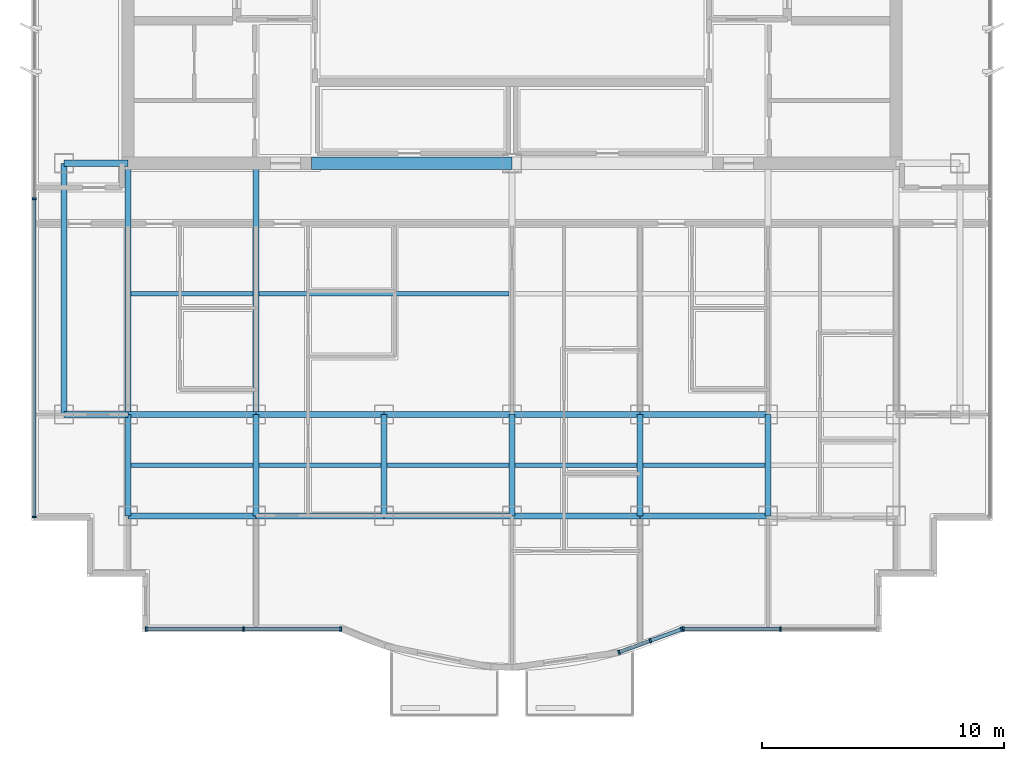
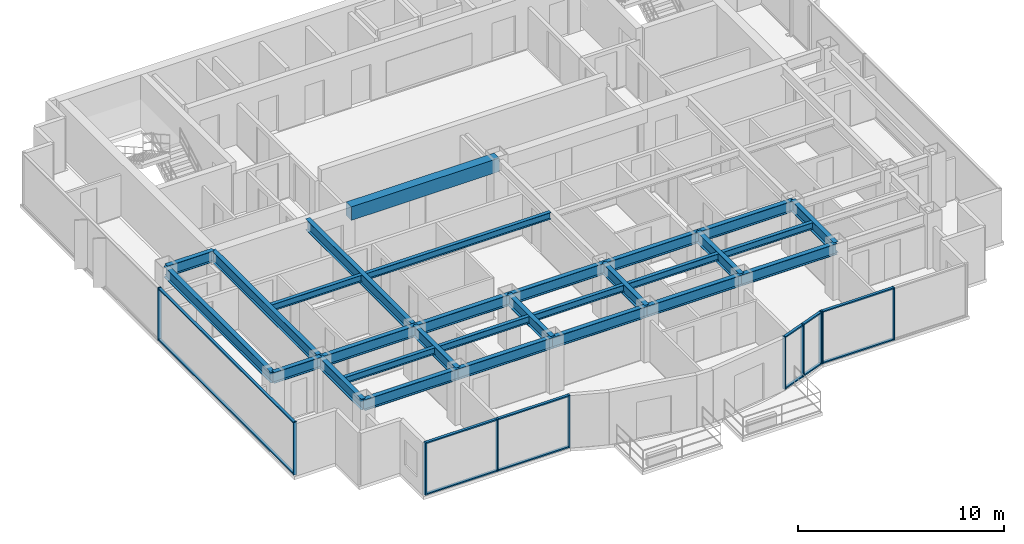
# One storey, part 2 of 12: 29 beams, 22 members, 4 elements without a shape of their own.
"""IFC4 building model written with IfcOpenShell, lengths in metres."""

from ifc_helpers import new_model, si_unit, direction, frame, origin, origin_2d, place, context, subcontext, project, spatial, rectangle, i_section, extrude, source, transform, mapped, material, layer, layer_set, material_profile, profile_set, type_object, element, aggregate, save


model = new_model("IFC4")

# Units and contexts
model_context = context("Model", 3, precision=1e-05, world=origin(), true_north=direction((0.0, 1.0)))
body_context = subcontext(model_context, "Body", "Model", "MODEL_VIEW")
ifc_project = project(units=[si_unit("LENGTHUNIT", "METRE"), si_unit("AREAUNIT", "SQUARE_METRE"), si_unit("VOLUMEUNIT", "CUBIC_METRE"), si_unit("PLANEANGLEUNIT", "RADIAN"), si_unit("MASSUNIT", "GRAM", prefix="KILO")], contexts=[model_context])

# Site, building, storey
site_placement = place(None, origin())
site = spatial("IfcSite", under=ifc_project, at=site_placement, CompositionType="ELEMENT")
building_placement = place(site_placement, origin())
building = spatial("IfcBuilding", under=site, at=building_placement, Name="Qianlan Lanfeng Residences", CompositionType="ELEMENT")
storey_placement = place(building_placement, frame((0.0, 0.0, 200.0)))
storey = spatial("IfcBuildingStorey", under=building, at=storey_placement, Name="L54", CompositionType="ELEMENT", Elevation=200.0)

# Beams
ifc_material_1 = material(Name="Steel SN490B", Category="steel")
ifc_material_profile_1 = material_profile(ifc_material_1, i_section(OverallWidth=0.25, OverallDepth=0.64990234375, WebThickness=0.012939453125, FlangeThickness=0.02197265625, at=origin_2d()), Name="H 650x250x13x22")
ifc_profile_set_1 = profile_set([ifc_material_profile_1], Name="Steel SN490B")
beam_type_1 = type_object("IfcBeamType", Name="G-650", PredefinedType="BEAM", material=ifc_profile_set_1)
beam_1_placement = place(storey_placement, frame((10.60009765625, 10.60009765625, 2.784912109375), z_axis=(1.0, 0.0, 0.0), x_axis=(0.0, 1.0, 0.0)))
element("IfcBeam", 1, at=beam_1_placement, inside=storey, type_object=beam_type_1, Name="Structural beam G-650", PredefinedType="BEAM", context=body_context, shape_type="SweptSolid", body=[
    extrude(i_section(OverallWidth=0.25, OverallDepth=0.64990234375, WebThickness=0.012939453125, FlangeThickness=0.02197265625, at=origin_2d()), origin(), (0.0, 0.0, 1.0), 5.2998046875),
])
for number, where, z_axis, x_axis, name in (
    (2, (15.89990234375, 10.60009765625, 2.784912109375), (1.0, 0.0, 0.0), (0.0, 1.0, 0.0), "Structural beam G-650"),
    (3, (21.199951171875, 10.60009765625, 2.784912109375), (1.0, 0.0, 0.0), (0.0, 1.0, 0.0), "Structural beam G-650"),
    (4, (26.5, 10.60009765625, 2.784912109375), (1.0, 0.0, 0.0), (0.0, 1.0, 0.0), "Structural beam G-650"),
    (5, (31.800048828125, 10.60009765625, 2.784912109375), (1.0, 0.0, 0.0), (0.0, 1.0, 0.0), "Structural beam G-650"),
):
    element("IfcBeam", number, at=place(storey_placement, frame(where, z_axis=z_axis, x_axis=x_axis)), inside=storey, type_object=beam_type_1, Name=name, PredefinedType="BEAM", context=body_context, shape_type="SweptSolid", body=[
        extrude(i_section(OverallWidth=0.25, OverallDepth=0.64990234375, WebThickness=0.012939453125, FlangeThickness=0.02197265625, at=origin_2d()), origin(), (0.0, 0.0, 1.0), 5.300048828125),
    ])
beam_2_placement = place(storey_placement, frame((7.949951171875, 14.800048828125, 2.784912109375), z_axis=(1.0, 0.0, 0.0), x_axis=(0.0, 1.0, 0.0)))
element("IfcBeam", 6, at=beam_2_placement, inside=storey, type_object=beam_type_1, Name="Structural beam G-650", PredefinedType="BEAM", context=body_context, shape_type="SweptSolid", body=[
    extrude(i_section(OverallWidth=0.25, OverallDepth=0.64990234375, WebThickness=0.012939453125, FlangeThickness=0.02197265625, at=origin_2d()), origin(), (0.0, 0.0, 1.0), 2.650146484375),
])
beam_3_placement = place(storey_placement, frame((10.60009765625, 14.800048828125, 2.784912109375), z_axis=(1.0, 0.0, 0.0), x_axis=(0.0, 1.0, 0.0)))
element("IfcBeam", 7, at=beam_3_placement, inside=storey, type_object=beam_type_1, Name="Structural beam G-650", PredefinedType="BEAM", context=body_context, shape_type="SweptSolid", body=[
    extrude(i_section(OverallWidth=0.25, OverallDepth=0.64990234375, WebThickness=0.012939453125, FlangeThickness=0.02197265625, at=origin_2d()), origin(), (0.0, 0.0, 1.0), 5.2998046875),
])
for number, where, z_axis, x_axis, name in (
    (8, (15.89990234375, 14.800048828125, 2.784912109375), (1.0, 0.0, 0.0), (0.0, 1.0, 0.0), "Structural beam G-650"),
    (9, (21.199951171875, 14.800048828125, 2.784912109375), (1.0, 0.0, 0.0), (0.0, 1.0, 0.0), "Structural beam G-650"),
    (10, (26.5, 14.800048828125, 2.784912109375), (1.0, 0.0, 0.0), (0.0, 1.0, 0.0), "Structural beam G-650"),
    (11, (31.800048828125, 14.800048828125, 2.784912109375), (1.0, 0.0, 0.0), (0.0, 1.0, 0.0), "Structural beam G-650"),
):
    element("IfcBeam", number, at=place(storey_placement, frame(where, z_axis=z_axis, x_axis=x_axis)), inside=storey, type_object=beam_type_1, Name=name, PredefinedType="BEAM", context=body_context, shape_type="SweptSolid", body=[
        extrude(i_section(OverallWidth=0.25, OverallDepth=0.64990234375, WebThickness=0.012939453125, FlangeThickness=0.02197265625, at=origin_2d()), origin(), (0.0, 0.0, 1.0), 5.300048828125),
    ])
beam_4_placement = place(storey_placement, frame((7.949951171875, 25.199951171875, 2.784912109375), z_axis=(1.0, 0.0, 0.0), x_axis=(0.0, 1.0, 0.0)))
element("IfcBeam", 12, at=beam_4_placement, inside=storey, type_object=beam_type_1, Name="Structural beam G-650", PredefinedType="BEAM", context=body_context, shape_type="SweptSolid", body=[
    extrude(i_section(OverallWidth=0.25, OverallDepth=0.64990234375, WebThickness=0.012939453125, FlangeThickness=0.02197265625, at=origin_2d()), origin(), (0.0, 0.0, 1.0), 2.650146484375),
])
beam_5_placement = place(storey_placement, frame((10.60009765625, 10.60009765625, 2.784912109375), z_axis=(0.0, 1.0, 0.0), x_axis=(-1.0, 0.0, 0.0)))
element("IfcBeam", 13, at=beam_5_placement, inside=storey, type_object=beam_type_1, Name="Structural beam G-650", PredefinedType="BEAM", context=body_context, shape_type="SweptSolid", body=[
    extrude(i_section(OverallWidth=0.25, OverallDepth=0.64990234375, WebThickness=0.012939453125, FlangeThickness=0.02197265625, at=origin_2d()), origin(), (0.0, 0.0, 1.0), 4.199951171875),
])
beam_6_placement = place(storey_placement, frame((10.60009765625, 14.800048828125, 2.784912109375), z_axis=(0.0, 1.0, 0.0), x_axis=(-1.0, 0.0, 0.0)))
element("IfcBeam", 14, at=beam_6_placement, inside=storey, type_object=beam_type_1, Name="Structural beam G-650", PredefinedType="BEAM", context=body_context, shape_type="SweptSolid", body=[
    extrude(i_section(OverallWidth=0.25, OverallDepth=0.64990234375, WebThickness=0.012939453125, FlangeThickness=0.02197265625, at=origin_2d()), origin(), (0.0, 0.0, 1.0), 10.39990234375),
])
beam_7_placement = place(storey_placement, frame((15.89990234375, 10.60009765625, 2.784912109375), z_axis=(0.0, 1.0, 0.0), x_axis=(-1.0, 0.0, 0.0)))
element("IfcBeam", 15, at=beam_7_placement, inside=storey, type_object=beam_type_1, Name="Structural beam G-650", PredefinedType="BEAM", context=body_context, shape_type="SweptSolid", body=[
    extrude(i_section(OverallWidth=0.25, OverallDepth=0.64990234375, WebThickness=0.012939453125, FlangeThickness=0.02197265625, at=origin_2d()), origin(), (0.0, 0.0, 1.0), 4.199951171875),
])
beam_8_placement = place(storey_placement, frame((15.89990234375, 14.800048828125, 2.784912109375), z_axis=(0.0, 1.0, 0.0), x_axis=(-1.0, 0.0, 0.0)))
element("IfcBeam", 16, at=beam_8_placement, inside=storey, type_object=beam_type_1, Name="Structural beam G-650", PredefinedType="BEAM", context=body_context, shape_type="SweptSolid", body=[
    extrude(i_section(OverallWidth=0.25, OverallDepth=0.64990234375, WebThickness=0.012939453125, FlangeThickness=0.02197265625, at=origin_2d()), origin(), (0.0, 0.0, 1.0), 10.39990234375),
])
for number, where, z_axis, x_axis, name in (
    (17, (21.199951171875, 10.60009765625, 2.784912109375), (0.0, 1.0, 0.0), (-1.0, 0.0, 0.0), "Structural beam G-650"),
    (18, (26.5, 10.60009765625, 2.784912109375), (0.0, 1.0, 0.0), (-1.0, 0.0, 0.0), "Structural beam G-650"),
    (19, (31.800048828125, 10.60009765625, 2.784912109375), (0.0, 1.0, 0.0), (-1.0, 0.0, 0.0), "Structural beam G-650"),
    (20, (37.10009765625, 10.60009765625, 2.784912109375), (0.0, 1.0, 0.0), (-1.0, 0.0, 0.0), "Structural beam G-650"),
):
    element("IfcBeam", number, at=place(storey_placement, frame(where, z_axis=z_axis, x_axis=x_axis)), inside=storey, type_object=beam_type_1, Name=name, PredefinedType="BEAM", context=body_context, shape_type="SweptSolid", body=[
        extrude(i_section(OverallWidth=0.25, OverallDepth=0.64990234375, WebThickness=0.012939453125, FlangeThickness=0.02197265625, at=origin_2d()), origin(), (0.0, 0.0, 1.0), 4.199951171875),
    ])
ifc_material_profile_2 = material_profile(ifc_material_1, i_section(OverallWidth=0.199951171875, OverallDepth=0.39990234375, WebThickness=0.008056640625, FlangeThickness=0.012939453125, at=origin_2d()), Name="H 400x200x8x13")
ifc_profile_set_2 = profile_set([ifc_material_profile_2], Name="Steel SN490B")
beam_type_2 = type_object("IfcBeamType", Name="J-400", PredefinedType="JOIST", material=ifc_profile_set_2)
beam_9_placement = place(storey_placement, frame((10.72509765625, 12.699951171875, 2.909912109375), z_axis=(1.0, 0.0, 0.0), x_axis=(0.0, 1.0, 0.0)))
element("IfcBeam", 21, at=beam_9_placement, inside=storey, type_object=beam_type_2, Name="Structural beam J-400", PredefinedType="JOIST", context=body_context, shape_type="SweptSolid", body=[
    extrude(i_section(OverallWidth=0.199951171875, OverallDepth=0.39990234375, WebThickness=0.008056640625, FlangeThickness=0.012939453125, at=origin_2d()), origin(), (0.0, 0.0, 1.0), 5.0498046875),
])
for number, where, z_axis, x_axis, name in (
    (22, (16.02490234375, 12.699951171875, 2.909912109375), (1.0, 0.0, 0.0), (0.0, 1.0, 0.0), "Structural beam J-400"),
    (23, (21.324951171875, 12.699951171875, 2.909912109375), (1.0, 0.0, 0.0), (0.0, 1.0, 0.0), "Structural beam J-400"),
    (24, (26.625, 12.699951171875, 2.909912109375), (1.0, 0.0, 0.0), (0.0, 1.0, 0.0), "Structural beam J-400"),
    (25, (31.925048828125, 12.699951171875, 2.909912109375), (1.0, 0.0, 0.0), (0.0, 1.0, 0.0), "Structural beam J-400"),
):
    element("IfcBeam", number, at=place(storey_placement, frame(where, z_axis=z_axis, x_axis=x_axis)), inside=storey, type_object=beam_type_2, Name=name, PredefinedType="JOIST", context=body_context, shape_type="SweptSolid", body=[
        extrude(i_section(OverallWidth=0.199951171875, OverallDepth=0.39990234375, WebThickness=0.008056640625, FlangeThickness=0.012939453125, at=origin_2d()), origin(), (0.0, 0.0, 1.0), 5.050048828125),
    ])
beam_10_placement = place(storey_placement, frame((10.72509765625, 19.800048828125, 2.909912109375), z_axis=(1.0, 0.0, 0.0), x_axis=(0.0, 1.0, 0.0)))
element("IfcBeam", 26, at=beam_10_placement, inside=storey, type_object=beam_type_2, Name="Structural beam J-400", PredefinedType="JOIST", context=body_context, shape_type="SweptSolid", body=[
    extrude(i_section(OverallWidth=0.199951171875, OverallDepth=0.39990234375, WebThickness=0.008056640625, FlangeThickness=0.012939453125, at=origin_2d()), origin(), (0.0, 0.0, 1.0), 5.0498046875),
])
beam_11_placement = place(storey_placement, frame((16.02490234375, 19.800048828125, 2.909912109375), z_axis=(1.0, 0.0, 0.0), x_axis=(0.0, 1.0, 0.0)))
element("IfcBeam", 27, at=beam_11_placement, inside=storey, type_object=beam_type_2, Name="Structural beam J-400", PredefinedType="JOIST", context=body_context, shape_type="SweptSolid", body=[
    extrude(i_section(OverallWidth=0.199951171875, OverallDepth=0.39990234375, WebThickness=0.008056640625, FlangeThickness=0.012939453125, at=origin_2d()), origin(), (0.0, 0.0, 1.0), 10.35009765625),
])
ifc_material_2 = material(Name="Concrete C49", Category="concrete")
ifc_material_profile_3 = material_profile(ifc_material_2, rectangle(XDim=0.5, YDim=0.800048828125, at=origin_2d()), Name="RC 500x800")
ifc_profile_set_3 = profile_set([ifc_material_profile_3], Name="Concrete C49")
beam_type_3 = type_object("IfcBeamType", Name="LB-RC750", PredefinedType="BEAM", material=ifc_profile_set_3)
beam_12_placement = place(storey_placement, frame((18.199951171875, 25.199951171875, 2.7099609375), z_axis=(1.0, 0.0, 0.0), x_axis=(0.0, 1.0, 0.0)))
element("IfcBeam", 28, at=beam_12_placement, inside=storey, type_object=beam_type_3, Name="L54 Core Coupling Beam W", PredefinedType="BEAM", context=body_context, shape_type="SweptSolid", body=[
    extrude(rectangle(XDim=0.5, YDim=0.800048828125, at=origin_2d()), origin(), (0.0, 0.0, 1.0), 8.300048828125),
])
ifc_material_profile_4 = material_profile(ifc_material_1, i_section(OverallWidth=0.25, OverallDepth=0.64990234375, WebThickness=0.012939453125, FlangeThickness=0.02197265625, at=origin_2d()), Name="H 650x250x13x22")
ifc_profile_set_4 = profile_set([ifc_material_profile_4], Name="Steel SN490B")
beam_type_4 = type_object("IfcBeamType", Name="SG-650", PredefinedType="SPANDREL", material=ifc_profile_set_4)
beam_13_placement = place(storey_placement, frame((7.949951171875, 14.800048828125, 2.764892578125), z_axis=(0.0, 1.0, 0.0), x_axis=(-1.0, 0.0, 0.0)))
element("IfcBeam", 29, at=beam_13_placement, inside=storey, type_object=beam_type_4, Name="Structural beam SG-650", PredefinedType="SPANDREL", context=body_context, shape_type="SweptSolid", body=[
    extrude(i_section(OverallWidth=0.25, OverallDepth=0.64990234375, WebThickness=0.012939453125, FlangeThickness=0.02197265625, at=origin_2d()), origin(), (0.0, 0.0, 1.0), 10.39990234375),
])

# Curtain wall, members
ifc_material_3 = material(Name="Anodised Bronze Aluminium 6063-T6", Category="aluminium")
ifc_layer = layer(ifc_material_3, 0.219970703125)
ifc_layer_set = layer_set([ifc_layer], Name="Anodised Bronze Aluminium 6063-T6")
curtain_wall_type = type_object("IfcCurtainWallType", Name="CW-05", PredefinedType="NOTDEFINED", material=ifc_layer_set)
curtain_wall_1_placement = place(storey_placement, origin())
curtain_wall_1 = element("IfcCurtainWall", 30, at=curtain_wall_1_placement, inside=storey, type_object=curtain_wall_type, Name="L54 Unitised Curtain Wall CWR-L54-01 (CW-05)", PredefinedType="NOTDEFINED")
ifc_material_profile_5 = material_profile(ifc_material_3, rectangle(XDim=0.074951171875, YDim=0.14990234375, at=origin_2d()), Name="ALU TRANSOM 75x150")
ifc_profile_set_5 = profile_set([ifc_material_profile_5], Name="Anodised Bronze Aluminium 6063-T6")
member_type_1 = type_object("IfcMemberType", Name="CWT-150", PredefinedType="USERDEFINED", material=ifc_profile_set_5)
shared_shape_1 = source(origin(), body_context, "Body", "SweptSolid", [
    extrude(rectangle(XDim=0.074951171875, YDim=0.14990234375, at=origin_2d()), origin(), (0.0, 0.0, 1.0), 3.949462890625),
])
member_1_placement = place(storey_placement, frame((11.39501953125, 5.919921875, 0.03759765625), z_axis=(1.0, 0.0, 0.0), x_axis=(0.0, 0.0, 1.0)))
member_1 = element("IfcMember", 31, at=member_1_placement, type_object=member_type_1, Name="CWR-L54-01 Transom 1-BOT", ObjectType="TRANSOM", PredefinedType="USERDEFINED", context=body_context, shape_type="MappedRepresentation", body=[
    mapped(shared_shape_1, transform((0.0, 0.0, 0.0), scale=1.0)),
])
member_2_placement = place(storey_placement, frame((11.39501953125, 5.919921875, 3.072509765625), z_axis=(1.0, 0.0, 0.0), x_axis=(0.0, 0.0, 1.0)))
member_2 = element("IfcMember", 32, at=member_2_placement, type_object=member_type_1, Name="CWR-L54-01 Transom 1-TOP", ObjectType="TRANSOM", PredefinedType="USERDEFINED", context=body_context, shape_type="MappedRepresentation", body=[
    mapped(shared_shape_1, transform((0.0, 0.0, 0.0), scale=1.0)),
])
member_3_placement = place(storey_placement, frame((15.41943359375, 5.919921875, 0.03759765625), z_axis=(1.0, 0.0, 0.0), x_axis=(0.0, 0.0, 1.0)))
member_3 = element("IfcMember", 33, at=member_3_placement, type_object=member_type_1, Name="CWR-L54-01 Transom 2-BOT", ObjectType="TRANSOM", PredefinedType="USERDEFINED", context=body_context, shape_type="MappedRepresentation", body=[
    mapped(shared_shape_1, transform((0.0, 0.0, 0.0), scale=1.0)),
])
member_4_placement = place(storey_placement, frame((15.41943359375, 5.919921875, 3.072509765625), z_axis=(1.0, 0.0, 0.0), x_axis=(0.0, 0.0, 1.0)))
member_4 = element("IfcMember", 34, at=member_4_placement, type_object=member_type_1, Name="CWR-L54-01 Transom 2-TOP", ObjectType="TRANSOM", PredefinedType="USERDEFINED", context=body_context, shape_type="MappedRepresentation", body=[
    mapped(shared_shape_1, transform((0.0, 0.0, 0.0), scale=1.0)),
])

curtain_wall_2_placement = place(storey_placement, origin())
curtain_wall_2 = element("IfcCurtainWall", 35, at=curtain_wall_2_placement, inside=storey, type_object=curtain_wall_type, Name="L54 Unitised Curtain Wall CWR-L54-03 (CW-05)", PredefinedType="NOTDEFINED")
member_5_placement = place(storey_placement, frame((33.631103515625, 5.919921875, 0.03759765625), z_axis=(1.0, 0.0, 0.0), x_axis=(0.0, 0.0, 1.0)))
member_5 = element("IfcMember", 36, at=member_5_placement, type_object=member_type_1, Name="CWR-L54-03 Transom 1-BOT", ObjectType="TRANSOM", PredefinedType="USERDEFINED", context=body_context, shape_type="MappedRepresentation", body=[
    mapped(shared_shape_1, transform((0.0, 0.0, 0.0), scale=1.0)),
])
member_6_placement = place(storey_placement, frame((33.631103515625, 5.919921875, 3.072509765625), z_axis=(1.0, 0.0, 0.0), x_axis=(0.0, 0.0, 1.0)))
member_6 = element("IfcMember", 37, at=member_6_placement, type_object=member_type_1, Name="CWR-L54-03 Transom 1-TOP", ObjectType="TRANSOM", PredefinedType="USERDEFINED", context=body_context, shape_type="MappedRepresentation", body=[
    mapped(shared_shape_1, transform((0.0, 0.0, 0.0), scale=1.0)),
])

# Member
ifc_material_profile_6 = material_profile(ifc_material_3, rectangle(XDim=0.074951171875, YDim=0.179931640625, at=origin_2d()), Name="ALU MULLION 75x180")
ifc_profile_set_6 = profile_set([ifc_material_profile_6], Name="Anodised Bronze Aluminium 6063-T6")
member_type_2 = type_object("IfcMemberType", Name="CWM-180", PredefinedType="MULLION", material=ifc_profile_set_6)
shared_shape_2 = source(origin(), body_context, "Body", "SweptSolid", [
    extrude(rectangle(XDim=0.074951171875, YDim=0.179931640625, at=origin_2d()), origin(), (0.0, 0.0, 1.0), 3.110107421875),
])
member_7_placement = place(storey_placement, frame((11.357421875, 5.919921875, 0.0), z_axis=(0.0, 0.0, 1.0), x_axis=(1.0, 0.0, 0.0)))
member_7 = element("IfcMember", 38, at=member_7_placement, type_object=member_type_2, Name="CWR-L54-01 Mullion 1", PredefinedType="MULLION", context=body_context, shape_type="MappedRepresentation", body=[
    mapped(shared_shape_2, transform((0.0, 0.0, 0.0), scale=1.0)),
])

member_8_placement = place(storey_placement, frame((15.382080078125, 5.919921875, 0.0), z_axis=(0.0, 0.0, 1.0), x_axis=(1.0, 0.0, 0.0)))
member_8 = element("IfcMember", 39, at=member_8_placement, type_object=member_type_2, Name="CWR-L54-01 Mullion 2", PredefinedType="MULLION", context=body_context, shape_type="MappedRepresentation", body=[
    mapped(shared_shape_2, transform((0.0, 0.0, 0.0), scale=1.0)),
])

member_9_placement = place(storey_placement, frame((19.406494140625, 5.919921875, 0.0), z_axis=(0.0, 0.0, 1.0), x_axis=(1.0, 0.0, 0.0)))
member_9 = element("IfcMember", 40, at=member_9_placement, type_object=member_type_2, Name="CWR-L54-01 Mullion 3", PredefinedType="MULLION", context=body_context, shape_type="MappedRepresentation", body=[
    mapped(shared_shape_2, transform((0.0, 0.0, 0.0), scale=1.0)),
])

aggregate(curtain_wall_1, [member_7, member_8, member_9, member_1, member_2, member_3, member_4])

# Curtain wall, members
curtain_wall_3_placement = place(storey_placement, origin())
curtain_wall_3 = element("IfcCurtainWall", 41, at=curtain_wall_3_placement, inside=storey, type_object=curtain_wall_type, Name="L54 Unitised Curtain Wall CWR-L54-02 (CW-05)", PredefinedType="NOTDEFINED")
member_10_placement = place(storey_placement, frame((30.92724609375, 4.953857421875, 0.0), z_axis=(0.0, 0.0, 1.0), x_axis=(0.938625538563, 0.344937818101, 0.0)))
member_10 = element("IfcMember", 42, at=member_10_placement, type_object=member_type_2, Name="CWR-L54-02 Mullion 1", PredefinedType="MULLION", context=body_context, shape_type="MappedRepresentation", body=[
    mapped(shared_shape_2, transform((0.0, 0.0, 0.0), scale=1.0)),
])
member_11_placement = place(storey_placement, frame((32.22412109375, 5.430419921875, 0.0), z_axis=(0.0, 0.0, 1.0), x_axis=(0.938625538563, 0.344937818101, 0.0)))
member_11 = element("IfcMember", 43, at=member_11_placement, type_object=member_type_2, Name="CWR-L54-02 Mullion 2", PredefinedType="MULLION", context=body_context, shape_type="MappedRepresentation", body=[
    mapped(shared_shape_2, transform((0.0, 0.0, 0.0), scale=1.0)),
])
member_12_placement = place(storey_placement, frame((33.520751953125, 5.906982421875, 0.0), z_axis=(0.0, 0.0, 1.0), x_axis=(0.938625538563, 0.344937818101, 0.0)))
member_12 = element("IfcMember", 44, at=member_12_placement, type_object=member_type_2, Name="CWR-L54-02 Mullion 3", PredefinedType="MULLION", context=body_context, shape_type="MappedRepresentation", body=[
    mapped(shared_shape_2, transform((0.0, 0.0, 0.0), scale=1.0)),
])

# Member
member_13_placement = place(storey_placement, frame((33.593505859375, 5.919921875, 0.0), z_axis=(0.0, 0.0, 1.0), x_axis=(1.0, 0.0, 0.0)))
member_13 = element("IfcMember", 45, at=member_13_placement, type_object=member_type_2, Name="CWR-L54-03 Mullion 1", PredefinedType="MULLION", context=body_context, shape_type="MappedRepresentation", body=[
    mapped(shared_shape_2, transform((0.0, 0.0, 0.0), scale=1.0)),
])

member_14_placement = place(storey_placement, frame((37.617919921875, 5.919921875, 0.0), z_axis=(0.0, 0.0, 1.0), x_axis=(1.0, 0.0, 0.0)))
member_14 = element("IfcMember", 46, at=member_14_placement, type_object=member_type_2, Name="CWR-L54-03 Mullion 2", PredefinedType="MULLION", context=body_context, shape_type="MappedRepresentation", body=[
    mapped(shared_shape_2, transform((0.0, 0.0, 0.0), scale=1.0)),
])

aggregate(curtain_wall_2, [member_13, member_14, member_5, member_6])

# Curtain wall, members
curtain_wall_4_placement = place(storey_placement, origin())
curtain_wall_4 = element("IfcCurtainWall", 47, at=curtain_wall_4_placement, inside=storey, type_object=curtain_wall_type, Name="L54 Unitised Curtain Wall CWR-L54-05 (CW-05)", PredefinedType="NOTDEFINED")
member_15_placement = place(storey_placement, frame((6.719970703125, 23.72509765625, 0.0), z_axis=(0.0, 0.0, 1.0), x_axis=(0.0, -1.0, 0.0)))
member_15 = element("IfcMember", 48, at=member_15_placement, type_object=member_type_2, Name="CWR-L54-05 Mullion 2", PredefinedType="MULLION", context=body_context, shape_type="MappedRepresentation", body=[
    mapped(shared_shape_2, transform((0.0, 0.0, 0.0), scale=1.0)),
])
member_16_placement = place(storey_placement, frame((6.719970703125, 10.5576171875, 0.0), z_axis=(0.0, 0.0, 1.0), x_axis=(0.0, -1.0, 0.0)))
member_16 = element("IfcMember", 49, at=member_16_placement, type_object=member_type_2, Name="CWR-L54-05 Mullion 3", PredefinedType="MULLION", context=body_context, shape_type="MappedRepresentation", body=[
    mapped(shared_shape_2, transform((0.0, 0.0, 0.0), scale=1.0)),
])

# Member
shared_shape_3 = source(origin(), body_context, "Body", "SweptSolid", [
    extrude(rectangle(XDim=0.074951171875, YDim=0.14990234375, at=origin_2d()), origin(), (0.0, 0.0, 1.0), 1.306396484375),
])
member_17_placement = place(storey_placement, frame((30.96240234375, 4.966796875, 0.03759765625), z_axis=(0.938620376522, 0.344951864436, 0.0), x_axis=(0.0, 0.0, 1.0)))
member_17 = element("IfcMember", 50, at=member_17_placement, type_object=member_type_1, Name="CWR-L54-02 Transom 1-BOT", ObjectType="TRANSOM", PredefinedType="USERDEFINED", context=body_context, shape_type="MappedRepresentation", body=[
    mapped(shared_shape_3, transform((0.0, 0.0, 0.0), scale=1.0)),
])

member_18_placement = place(storey_placement, frame((30.96240234375, 4.966796875, 3.072509765625), z_axis=(0.938620376522, 0.344951864436, 0.0), x_axis=(0.0, 0.0, 1.0)))
member_18 = element("IfcMember", 51, at=member_18_placement, type_object=member_type_1, Name="CWR-L54-02 Transom 1-TOP", ObjectType="TRANSOM", PredefinedType="USERDEFINED", context=body_context, shape_type="MappedRepresentation", body=[
    mapped(shared_shape_3, transform((0.0, 0.0, 0.0), scale=1.0)),
])

member_19_placement = place(storey_placement, frame((32.25927734375, 5.443359375, 0.03759765625), z_axis=(0.938620376522, 0.344951864436, 0.0), x_axis=(0.0, 0.0, 1.0)))
member_19 = element("IfcMember", 52, at=member_19_placement, type_object=member_type_1, Name="CWR-L54-02 Transom 2-BOT", ObjectType="TRANSOM", PredefinedType="USERDEFINED", context=body_context, shape_type="MappedRepresentation", body=[
    mapped(shared_shape_3, transform((0.0, 0.0, 0.0), scale=1.0)),
])

member_20_placement = place(storey_placement, frame((32.25927734375, 5.443359375, 3.072509765625), z_axis=(0.938620376522, 0.344951864436, 0.0), x_axis=(0.0, 0.0, 1.0)))
member_20 = element("IfcMember", 53, at=member_20_placement, type_object=member_type_1, Name="CWR-L54-02 Transom 2-TOP", ObjectType="TRANSOM", PredefinedType="USERDEFINED", context=body_context, shape_type="MappedRepresentation", body=[
    mapped(shared_shape_3, transform((0.0, 0.0, 0.0), scale=1.0)),
])

aggregate(curtain_wall_3, [member_10, member_11, member_12, member_17, member_18, member_19, member_20])

shared_shape_4 = source(origin(), body_context, "Body", "SweptSolid", [
    extrude(rectangle(XDim=0.074951171875, YDim=0.14990234375, at=origin_2d()), origin(), (0.0, 0.0, 1.0), 13.092529296875),
])
member_21_placement = place(storey_placement, frame((6.719970703125, 23.6875, 0.03759765625), z_axis=(0.0, -1.0, 0.0), x_axis=(0.0, 0.0, 1.0)))
member_21 = element("IfcMember", 54, at=member_21_placement, type_object=member_type_1, Name="CWR-L54-05 Transom 2-BOT", ObjectType="TRANSOM", PredefinedType="USERDEFINED", context=body_context, shape_type="MappedRepresentation", body=[
    mapped(shared_shape_4, transform((0.0, 0.0, 0.0), scale=1.0)),
])

member_22_placement = place(storey_placement, frame((6.719970703125, 23.6875, 3.072509765625), z_axis=(0.0, -1.0, 0.0), x_axis=(0.0, 0.0, 1.0)))
member_22 = element("IfcMember", 55, at=member_22_placement, type_object=member_type_1, Name="CWR-L54-05 Transom 2-TOP", ObjectType="TRANSOM", PredefinedType="USERDEFINED", context=body_context, shape_type="MappedRepresentation", body=[
    mapped(shared_shape_4, transform((0.0, 0.0, 0.0), scale=1.0)),
])

aggregate(curtain_wall_4, [member_15, member_16, member_21, member_22])

save(model, "model.ifc")
